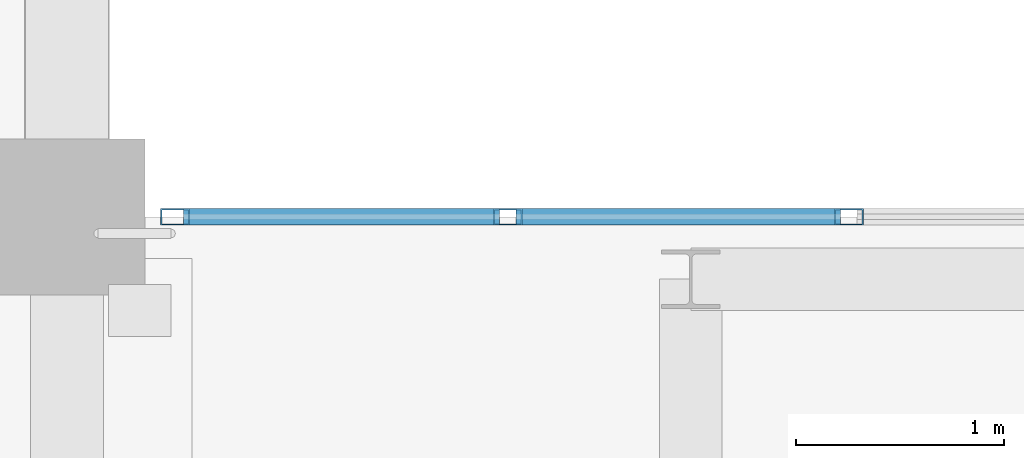
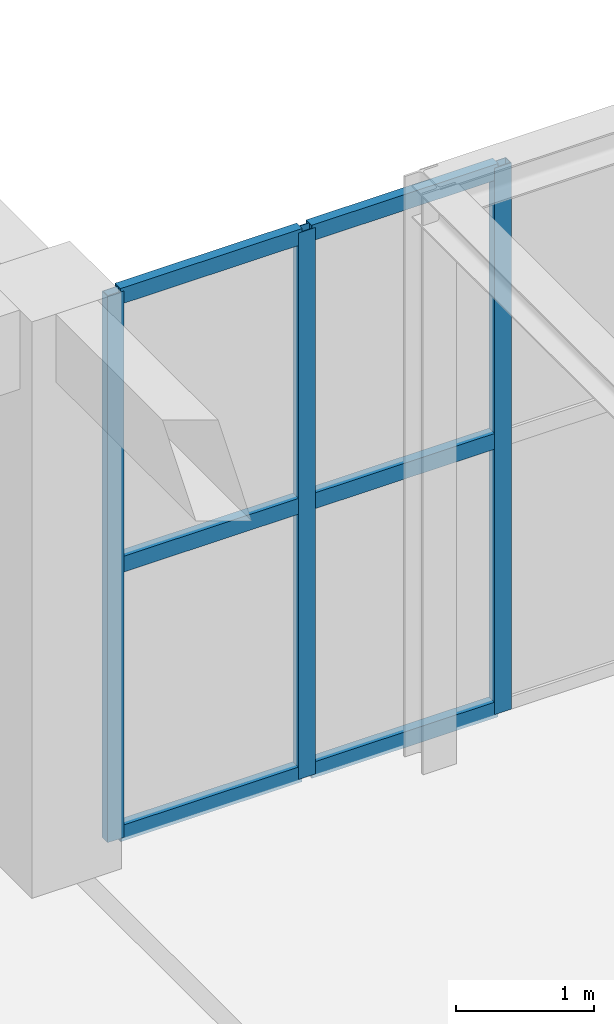
# One storey, part 64 of 169: 9 members, 1 element without a shape of its own.
"""IFC4 building model written with IfcOpenShell, lengths in metres."""

import ifcopenshell
import ifcopenshell.guid

model = None  # the IFC model being written
_history = None  # IfcOwnerHistory: only IFC2X3 demands one
_inside = {}  # id of a spatial element -> (the spatial element, [elements in it])
_under = {}  # id of a project, library or spatial element -> (it, [spatial elements below it])
_declared = {}  # id of a project -> (the project, [libraries it declares])
_typed = {}  # id of a type object -> (the type object, [elements of that type])
_made_of = {}  # id of a material, layer set ... -> (it, [elements and type objects made of it])


def new_model(schema):
    """Start an empty IFC model of exactly this schema.

    Asked for "IFC4X3", IfcOpenShell would pick the latest addendum, in which some entities
    have other attributes; the version numbers below select the first issue.
    IFC2X3 requires an IfcOwnerHistory on every rooted entity: one is made here for all.
    """
    global model, _history
    if schema == "IFC4X3":
        model = ifcopenshell.file(schema_version=(4, 3, 0, 0))
    else:
        model = ifcopenshell.file(schema=schema)
    _inside.clear()
    _under.clear()
    _declared.clear()
    _typed.clear()
    _made_of.clear()
    _history = None
    if model.schema == "IFC2X3":
        org = make("IfcOrganization", Name="unknown")
        user = make(
            "IfcPersonAndOrganization",
            ThePerson=make("IfcPerson", FamilyName="unknown"),
            TheOrganization=org,
        )
        app = make(
            "IfcApplication",
            ApplicationDeveloper=org,
            Version="unknown",
            ApplicationFullName="unknown",
            ApplicationIdentifier="unknown",
        )
        _history = make(
            "IfcOwnerHistory",
            OwningUser=user,
            OwningApplication=app,
            ChangeAction="ADDED",
            CreationDate=0,
        )
    return model


def make(cls, **values):
    """One entity of the class cls with the attributes given. An attribute that is None is left unset."""
    return model.create_entity(
        cls, **{name: value for name, value in values.items() if value is not None}
    )


def rooted(cls, **values):
    """An entity with a GlobalId (a new one), such as an element, a storey or a relation."""
    return make(cls, GlobalId=ifcopenshell.guid.new(), OwnerHistory=_history, **values)


def si_unit(unit_type, name, prefix=None):
    """IfcSIUnit, for example si_unit("LENGTHUNIT", "METRE", prefix="MILLI")."""
    return make("IfcSIUnit", UnitType=unit_type, Prefix=prefix, Name=name)


def assignment(units):
    """IfcUnitAssignment: the units of a project."""
    return None if units is None else make("IfcUnitAssignment", Units=units)


def point(xyz):
    """IfcCartesianPoint."""
    return None if xyz is None else make("IfcCartesianPoint", Coordinates=xyz)


def direction(xyz):
    """IfcDirection."""
    return None if xyz is None else make("IfcDirection", DirectionRatios=xyz)


def frame(location, z_axis=None, x_axis=None):
    """IfcAxis2Placement3D, a coordinate frame: its origin and axes. An axis left out is left unset."""
    return make(
        "IfcAxis2Placement3D",
        Location=point(location),
        Axis=direction(z_axis),
        RefDirection=direction(x_axis),
    )


def frame_2d(location, x_axis=None):
    """IfcAxis2Placement2D, a coordinate frame in the plane: its origin and x axis."""
    return make(
        "IfcAxis2Placement2D", Location=point(location), RefDirection=direction(x_axis)
    )


def origin():
    """The frame at (0, 0, 0) with its axes left unset."""
    return frame((0.0, 0.0, 0.0))


def origin_2d():
    """The frame at (0, 0) in the plane with its x axis left unset."""
    return frame_2d((0.0, 0.0))


def place(relative_to, where):
    """IfcLocalPlacement: puts the frame where relative to a parent placement (None: the world)."""
    return make(
        "IfcLocalPlacement", PlacementRelTo=relative_to, RelativePlacement=where
    )


def context(
    kind, dimensions, precision=None, world=None, true_north=None, identifier=None
):
    """IfcGeometricRepresentationContext, for example the 3D "Model" context."""
    return make(
        "IfcGeometricRepresentationContext",
        ContextIdentifier=identifier,
        ContextType=kind,
        CoordinateSpaceDimension=dimensions,
        Precision=precision,
        WorldCoordinateSystem=world,
        TrueNorth=true_north,
    )


def subcontext(parent, identifier, kind, view, scale=None):
    """IfcGeometricRepresentationSubContext, for example "Body" below "Model"."""
    return make(
        "IfcGeometricRepresentationSubContext",
        ContextIdentifier=identifier,
        ContextType=kind,
        ParentContext=parent,
        TargetScale=scale,
        TargetView=view,
    )


def project(units=None, contexts=None):
    """IfcProject with its units and contexts."""
    return rooted(
        "IfcProject",
        Name="project",
        RepresentationContexts=contexts,
        UnitsInContext=assignment(units),
    )


def spatial(cls, under=None, at=None, **own):
    """A site, building, storey or space (cls), placed at a placement, below another one or the project."""
    s = rooted(cls, ObjectPlacement=at, **own)
    if under is not None:
        _under.setdefault(under.id(), (under, []))[1].append(s)
    return s


def profile(cls, at=None, kind="AREA", **sizes):
    """A parametric profile (cls). Its sizes go by their IFC names, for example OverallWidth=200.0."""
    return make(cls, ProfileType=kind, Position=at, **sizes)


def hollow_rectangle(**sizes):
    """IfcRectangleHollowProfileDef."""
    return profile("IfcRectangleHollowProfileDef", **sizes)


def extrude(swept, where, along, depth):
    """IfcExtrudedAreaSolid: the profile swept, set in the frame where, extruded along a direction by depth."""
    return make(
        "IfcExtrudedAreaSolid",
        SweptArea=swept,
        Position=where,
        ExtrudedDirection=direction(along),
        Depth=depth,
    )


def shape(context_of_items, identifier, shape_type, items):
    """IfcShapeRepresentation: the items that make up one representation, for example the "Body"."""
    return make(
        "IfcShapeRepresentation",
        ContextOfItems=context_of_items,
        RepresentationIdentifier=identifier,
        RepresentationType=shape_type,
        Items=items,
    )


def material(Name=None, Category=None):
    """IfcMaterial."""
    return make("IfcMaterial", Name=Name, Category=Category)


def layer(
    of_material, thickness, ventilated=None, Name=None, Category=None, Priority=None
):
    """IfcMaterialLayer: one layer of a wall or slab, of a material (None: an air gap)."""
    return make(
        "IfcMaterialLayer",
        Material=of_material,
        LayerThickness=thickness,
        IsVentilated=ventilated,
        Name=Name,
        Category=Category,
        Priority=Priority,
    )


def layer_set(layers, Name=None):
    """IfcMaterialLayerSet."""
    return make("IfcMaterialLayerSet", MaterialLayers=layers, LayerSetName=Name)


def material_profile(
    of_material, cross_section, Name=None, Category=None, Priority=None
):
    """IfcMaterialProfile: a cross section and its material."""
    return make(
        "IfcMaterialProfile",
        Name=Name,
        Material=of_material,
        Profile=cross_section,
        Priority=Priority,
        Category=Category,
    )


def profile_set(profiles, Name=None, composite=None):
    """IfcMaterialProfileSet."""
    return make(
        "IfcMaterialProfileSet",
        Name=Name,
        MaterialProfiles=profiles,
        CompositeProfile=composite,
    )


def made_of(thing, what):
    """Note that an element or type object is made of a material, layer set ...; save() writes the relation."""
    if what is not None:
        _made_of.setdefault(what.id(), (what, []))[1].append(thing)
    return thing


def type_object(cls, material=None, **own):
    """A type object (cls), such as IfcWallType, which elements share."""
    return made_of(rooted(cls, **own), material)


def element(
    cls,
    number,
    at=None,
    inside=None,
    cuts=None,
    type_object=None,
    material=None,
    context=None,
    identifier="Body",
    shape_type=None,
    held_by="IfcProductDefinitionShape",
    body=None,
    shapes=None,
    **own,
):
    """One element of the class cls, such as IfcWall. Its Tag is "e" and its number.

    at: its placement. inside: the storey or other place that contains it. cuts: it is an
    opening in that element (IfcRelVoidsElement). A single representation is given by context,
    identifier, shape_type and body (its items); several are given by shapes. held_by: the class
    of the entity that holds the representations. save() writes the other relations.
    """
    e = rooted(cls, Tag="e%d" % number, ObjectPlacement=at, **own)
    if body is not None:
        shapes = [shape(context, identifier, shape_type, body)]
    if shapes is not None:
        e.Representation = make(held_by, Representations=shapes)
    if inside is not None:
        _inside.setdefault(inside.id(), (inside, []))[1].append(e)
    if cuts is not None:
        rooted(
            "IfcRelVoidsElement", RelatingBuildingElement=cuts, RelatedOpeningElement=e
        )
    if type_object is not None:
        _typed.setdefault(type_object.id(), (type_object, []))[1].append(e)
    return made_of(e, material)


def aggregate(whole, parts):
    """IfcRelAggregates: a whole, such as a stair, and the parts it consists of."""
    return rooted("IfcRelAggregates", RelatingObject=whole, RelatedObjects=parts)


def save(model, path):
    """Write the relations noted so far, then the file.

    IfcRelAggregates (storeys below a building ...), IfcRelContainedInSpatialStructure (elements
    in a storey), IfcRelDefinesByType, IfcRelAssociatesMaterial and IfcRelDeclares: one each for
    every whole, place, type object, material and project.
    """
    for whole, parts in _under.values():
        aggregate(whole, parts)
    for where, things in _inside.values():
        rooted(
            "IfcRelContainedInSpatialStructure",
            RelatedElements=things,
            RelatingStructure=where,
        )
    for kind, things in _typed.values():
        rooted("IfcRelDefinesByType", RelatedObjects=things, RelatingType=kind)
    for what, things in _made_of.values():
        rooted("IfcRelAssociatesMaterial", RelatedObjects=things, RelatingMaterial=what)
    for by, libraries in _declared.values():
        rooted("IfcRelDeclares", RelatingContext=by, RelatedDefinitions=libraries)
    model.write(path)


model = new_model("IFC4")

# Units and contexts
model_context = context("Model", 3, precision=1e-05, world=origin(), true_north=direction((0.0, 1.0)))
body_context = subcontext(model_context, "Body", "Model", "MODEL_VIEW")
ifc_project = project(units=[si_unit("LENGTHUNIT", "METRE"), si_unit("AREAUNIT", "SQUARE_METRE"), si_unit("VOLUMEUNIT", "CUBIC_METRE"), si_unit("PLANEANGLEUNIT", "RADIAN"), si_unit("MASSUNIT", "GRAM", prefix="KILO")], contexts=[model_context])

# Site, building, storey
site_placement = place(None, origin())
site = spatial("IfcSite", under=ifc_project, at=site_placement, CompositionType="ELEMENT")
building_placement = place(site_placement, origin())
building = spatial("IfcBuilding", under=site, at=building_placement, Name="Mazaris Harbour Polytechnic", CompositionType="ELEMENT")
storey_placement = place(building_placement, origin())
storey = spatial("IfcBuildingStorey", under=building, at=storey_placement, Name="L00", CompositionType="ELEMENT", Elevation=0.0)

# Curtain wall, members
ifc_material_1 = material(Name="Anodised Bronze Aluminium and Low-E Glass", Category="aluminium")
ifc_layer = layer(ifc_material_1, 0.139892578125, Name="Anodised Bronze Aluminium and Low-E Glass")
ifc_layer_set = layer_set([ifc_layer], Name="Anodised Bronze Aluminium and Low-E Glass")
curtain_wall_type = type_object("IfcCurtainWallType", Name="Seismic Link Bridge Glazing", PredefinedType="NOTDEFINED", material=ifc_layer_set)
curtain_wall_placement = place(storey_placement, origin())
curtain_wall = element("IfcCurtainWall", 1, at=curtain_wall_placement, inside=storey, type_object=curtain_wall_type, Name="PB-W2 L00 Bridge Glazing", PredefinedType="NOTDEFINED")
ifc_material_2 = material(Name="Anodised Bronze Steel S355", Category="steel")
ifc_material_profile_1 = material_profile(ifc_material_2, hollow_rectangle(XDim=0.080078125, YDim=0.139892578125, WallThickness=0.00634765625, at=origin_2d()), Name="RHS 80x140x6.3")
ifc_profile_set_1 = profile_set([ifc_material_profile_1], Name="Anodised Bronze Steel S355")
member_type_1 = type_object("IfcMemberType", Name="Curtain Mullion RHS80x140", PredefinedType="MULLION", material=ifc_profile_set_1)
member_1_placement = place(storey_placement, frame((46.9599609375, 82.800048828125, 0.0), z_axis=(0.0, 0.0, 1.0), x_axis=(0.0, -1.0, 0.0)))
member_1 = element("IfcMember", 2, at=member_1_placement, type_object=member_type_1, Name="CW-05 mullion 5", PredefinedType="MULLION", context=body_context, shape_type="SweptSolid", body=[
    extrude(hollow_rectangle(XDim=0.080078125, YDim=0.139892578125, WallThickness=0.00634765625, at=origin_2d()), origin(), (0.0, 0.0, 1.0), 4.8349609375),
])
member_2_placement = place(storey_placement, frame((45.320068359375, 82.800048828125, 0.0), z_axis=(0.0, 0.0, 1.0), x_axis=(0.0, -1.0, 0.0)))
member_2 = element("IfcMember", 3, at=member_2_placement, type_object=member_type_1, Name="CW-05 mullion 6", PredefinedType="MULLION", context=body_context, shape_type="SweptSolid", body=[
    extrude(hollow_rectangle(XDim=0.080078125, YDim=0.139892578125, WallThickness=0.00634765625, at=origin_2d()), origin(), (0.0, 0.0, 1.0), 4.8349609375),
])
member_3_placement = place(storey_placement, frame((43.719970703125, 82.800048828125, 0.0), z_axis=(0.0, 0.0, 1.0), x_axis=(0.0, -1.0, 0.0)))
member_3 = element("IfcMember", 4, at=member_3_placement, type_object=member_type_1, Name="CW-05 mullion 7", PredefinedType="MULLION", context=body_context, shape_type="SweptSolid", body=[
    extrude(hollow_rectangle(XDim=0.080078125, YDim=0.139892578125, WallThickness=0.00634765625, at=origin_2d()), origin(), (0.0, 0.0, 1.0), 4.8349609375),
])
ifc_material_3 = material(Name="Anodised Bronze Steel S355", Category="steel")
ifc_material_profile_2 = material_profile(ifc_material_3, hollow_rectangle(XDim=0.080078125, YDim=0.139892578125, WallThickness=0.00634765625, at=origin_2d()), Name="RHS 80x140x6.3")
ifc_profile_set_2 = profile_set([ifc_material_profile_2], Name="Anodised Bronze Steel S355")
member_type_2 = type_object("IfcMemberType", Name="Curtain Transom RHS80x140", PredefinedType="USERDEFINED", material=ifc_profile_set_2)
member_4_placement = place(storey_placement, frame((46.919921875, 82.800048828125, 0.0400390625), z_axis=(-1.0, 0.0, 0.0), x_axis=(0.0, -1.0, 0.0)))
member_4 = element("IfcMember", 5, at=member_4_placement, type_object=member_type_2, Name="CW-05 transom 5.1", ObjectType="TRANSOM", PredefinedType="USERDEFINED", context=body_context, shape_type="SweptSolid", body=[
    extrude(hollow_rectangle(XDim=0.080078125, YDim=0.139892578125, WallThickness=0.00634765625, at=origin_2d()), origin(), (0.0, 0.0, 1.0), 1.559814453125),
])
member_5_placement = place(storey_placement, frame((46.919921875, 82.800048828125, 2.41748046875), z_axis=(-1.0, 0.0, 0.0), x_axis=(0.0, -1.0, 0.0)))
member_5 = element("IfcMember", 6, at=member_5_placement, type_object=member_type_2, Name="CW-05 transom 5.2", ObjectType="TRANSOM", PredefinedType="USERDEFINED", context=body_context, shape_type="SweptSolid", body=[
    extrude(hollow_rectangle(XDim=0.080078125, YDim=0.139892578125, WallThickness=0.00634765625, at=origin_2d()), origin(), (0.0, 0.0, 1.0), 1.559814453125),
])
member_6_placement = place(storey_placement, frame((46.919921875, 82.800048828125, 4.794921875), z_axis=(-1.0, 0.0, 0.0), x_axis=(0.0, -1.0, 0.0)))
member_6 = element("IfcMember", 7, at=member_6_placement, type_object=member_type_2, Name="CW-05 transom 5.3", ObjectType="TRANSOM", PredefinedType="USERDEFINED", context=body_context, shape_type="SweptSolid", body=[
    extrude(hollow_rectangle(XDim=0.080078125, YDim=0.139892578125, WallThickness=0.00634765625, at=origin_2d()), origin(), (0.0, 0.0, 1.0), 1.559814453125),
])
member_7_placement = place(storey_placement, frame((45.280029296875, 82.800048828125, 0.0400390625), z_axis=(-1.0, 0.0, 0.0), x_axis=(0.0, -1.0, 0.0)))
member_7 = element("IfcMember", 8, at=member_7_placement, type_object=member_type_2, Name="CW-05 transom 6.1", ObjectType="TRANSOM", PredefinedType="USERDEFINED", context=body_context, shape_type="SweptSolid", body=[
    extrude(hollow_rectangle(XDim=0.080078125, YDim=0.139892578125, WallThickness=0.00634765625, at=origin_2d()), origin(), (0.0, 0.0, 1.0), 1.52001953125),
])
member_8_placement = place(storey_placement, frame((45.280029296875, 82.800048828125, 2.41748046875), z_axis=(-1.0, 0.0, 0.0), x_axis=(0.0, -1.0, 0.0)))
member_8 = element("IfcMember", 9, at=member_8_placement, type_object=member_type_2, Name="CW-05 transom 6.2", ObjectType="TRANSOM", PredefinedType="USERDEFINED", context=body_context, shape_type="SweptSolid", body=[
    extrude(hollow_rectangle(XDim=0.080078125, YDim=0.139892578125, WallThickness=0.00634765625, at=origin_2d()), origin(), (0.0, 0.0, 1.0), 1.52001953125),
])
member_9_placement = place(storey_placement, frame((45.280029296875, 82.800048828125, 4.794921875), z_axis=(-1.0, 0.0, 0.0), x_axis=(0.0, -1.0, 0.0)))
member_9 = element("IfcMember", 10, at=member_9_placement, type_object=member_type_2, Name="CW-05 transom 6.3", ObjectType="TRANSOM", PredefinedType="USERDEFINED", context=body_context, shape_type="SweptSolid", body=[
    extrude(hollow_rectangle(XDim=0.080078125, YDim=0.139892578125, WallThickness=0.00634765625, at=origin_2d()), origin(), (0.0, 0.0, 1.0), 1.52001953125),
])
aggregate(curtain_wall, [member_1, member_2, member_3, member_4, member_5, member_6, member_7, member_8, member_9])

save(model, "model.ifc")
